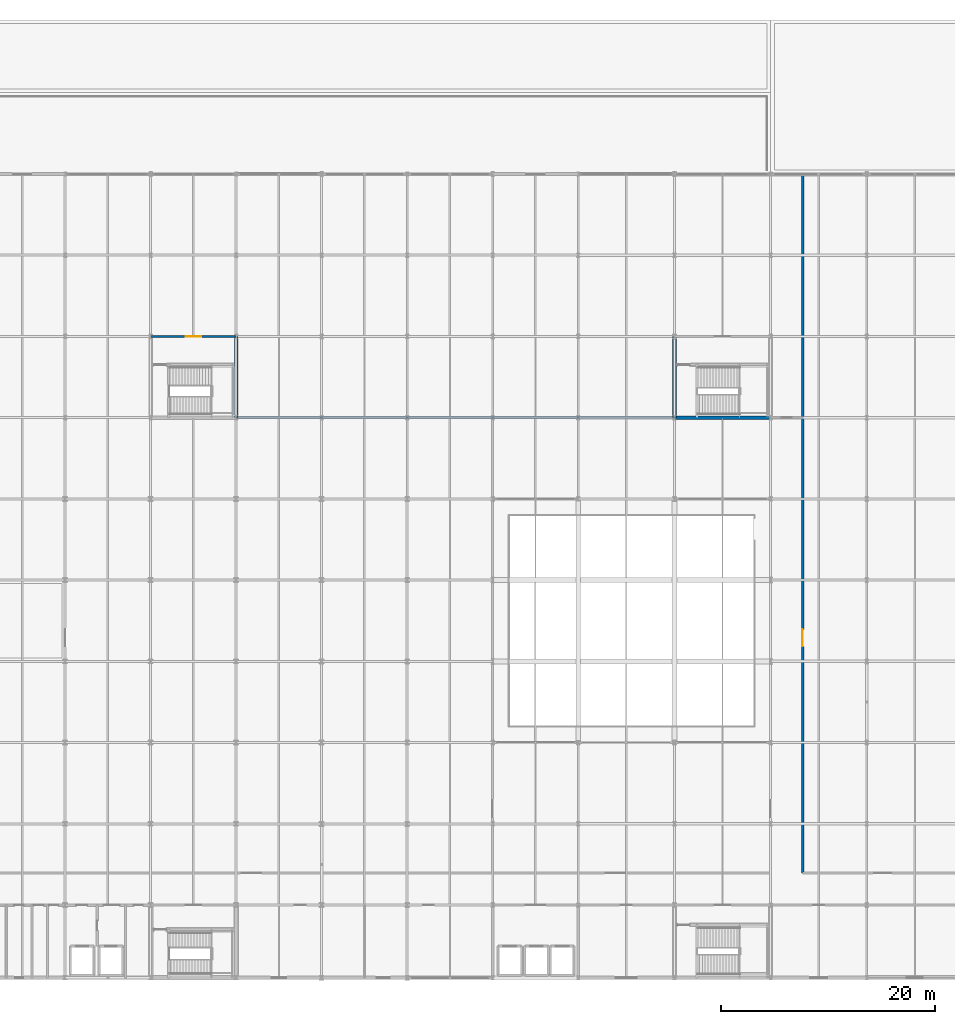
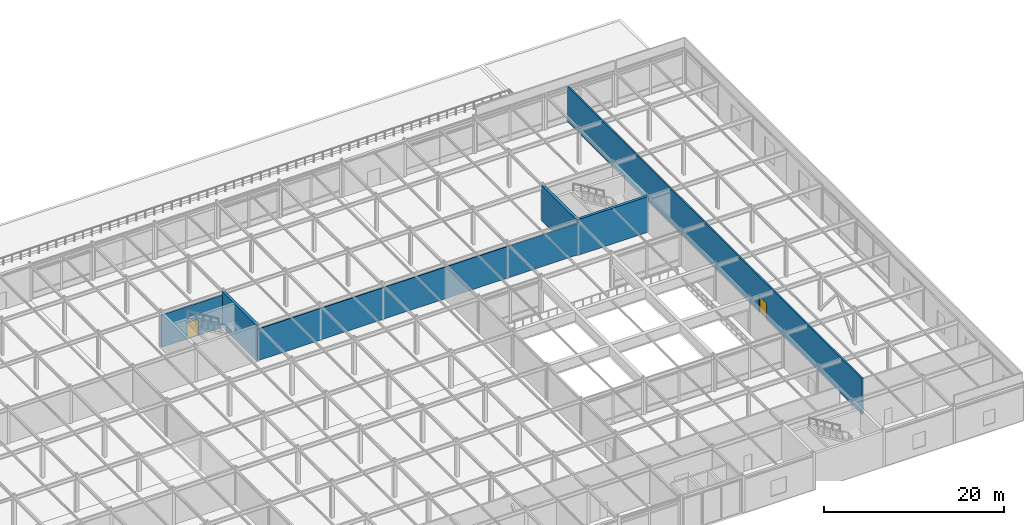
# One storey, part 62 of 79: 6 walls, 2 doors, 2 openings.
"""IFC4 building model written with IfcOpenShell, lengths in metres."""

from ifc_helpers import new_model, si_unit, direction, frame, frame_2d, origin, place, context, subcontext, project, spatial, rectangle, extrude, material, layer, layer_set, type_object, element, fill, save


model = new_model("IFC4")

# Units and contexts
model_context = context("Model", 3, precision=1e-05, world=origin(), true_north=direction((0.0, 1.0)))
body_context = subcontext(model_context, "Body", "Model", "MODEL_VIEW")
ifc_project = project(units=[si_unit("LENGTHUNIT", "METRE"), si_unit("AREAUNIT", "SQUARE_METRE"), si_unit("VOLUMEUNIT", "CUBIC_METRE"), si_unit("PLANEANGLEUNIT", "RADIAN"), si_unit("MASSUNIT", "GRAM", prefix="KILO")], contexts=[model_context])

# Site, building, storey
site_placement = place(None, origin())
site = spatial("IfcSite", under=ifc_project, at=site_placement, CompositionType="ELEMENT")
building_placement = place(site_placement, origin())
building = spatial("IfcBuilding", under=site, at=building_placement, Name="Shalkamar Park Central Library", CompositionType="ELEMENT")
storey_placement = place(building_placement, frame((0.0, 0.0, 10.5)))
storey = spatial("IfcBuildingStorey", under=building, at=storey_placement, Name="L03", CompositionType="ELEMENT", Elevation=10.5)

# Wall
ifc_material_1 = material(Name="Acoustic insulated reading partition", Category="masonry")
ifc_layer_1 = layer(ifc_material_1, 0.139892578125)
ifc_layer_set_1 = layer_set([ifc_layer_1], Name="AcousticPartition_140")
wall_type_1 = type_object("IfcWallType", Name="Acoustic Partition 140", PredefinedType="PARTITIONING", material=ifc_layer_set_1)
wall_1_placement = place(storey_placement, frame((205.0, 300.800048828125, 0.0), z_axis=(0.0, 0.0, 1.0), x_axis=(1.0, 0.0, 0.0)))
element("IfcWall", 1, at=wall_1_placement, inside=storey, type_object=wall_type_1, Name="Interior Partition WL-INT-L03-027-S3", PredefinedType="PARTITIONING", context=body_context, shape_type="SweptSolid", body=[
    extrude(rectangle(XDim=41.0, YDim=0.139892578125, at=frame_2d((20.5, 0.0))), origin(), (0.0, 0.0, 1.0), 4.2880859375),
])

# Wall, opening, door
ifc_material_2 = material(Name="Fire-rated corridor partition wall", Category="masonry")
ifc_layer_2 = layer(ifc_material_2, 0.199951171875)
ifc_layer_set_2 = layer_set([ifc_layer_2], Name="CorridorFireWall_200")
wall_type_2 = type_object("IfcWallType", Name="Corridor Fire Wall 200", PredefinedType="PARTITIONING", material=ifc_layer_set_2)
wall_2_placement = place(storey_placement, frame((197.0, 308.39990234375, 0.0), z_axis=(0.0, 0.0, 1.0), x_axis=(1.0, 0.0, 0.0)))
wall_2 = element("IfcWall", 2, at=wall_2_placement, inside=storey, type_object=wall_type_2, Name="CORE-P7 Vestibule North Wall (L03)", PredefinedType="PARTITIONING", context=body_context, shape_type="SweptSolid", body=[
    extrude(rectangle(XDim=8.0, YDim=0.199951171875, at=frame_2d((4.0, 0.0))), origin(), (0.0, 0.0, 1.0), 4.387939453125),
])
opening_1_placement = place(wall_2_placement, frame((3.27490234375, 0.0, 0.0)))
opening_1 = element("IfcOpeningElement", 3, at=opening_1_placement, cuts=wall_2, Name="Opening DR-ST-P7-L03-VEST", PredefinedType="OPENING", context=body_context, shape_type="SweptSolid", body=[
    extrude(rectangle(XDim=1.449951171875, YDim=2.199951171875, at=frame_2d((0.72509765625, 1.10009765625))), frame((0.0, 0.11474609375, 0.0), z_axis=(0.0, -1.0, 0.0), x_axis=(1.0, 0.0, 0.0)), (0.0, 0.0, 1.0), 0.229736328125),
])
ifc_material_3 = material(Name="Steel S355", Category="steel")
door_type_1 = type_object("IfcDoorType", Name="Stair Vestibule Door 1450x2200", OperationType="DOUBLE_DOOR_SINGLE_SWING", PredefinedType="DOOR", material=ifc_material_3)
door_1_placement = place(opening_1_placement, frame((1.449951171875, 0.0, 0.0), z_axis=(0.0, 0.0, 1.0), x_axis=(-1.0, 0.0, 0.0)))
door_1 = element("IfcDoor", 4, at=door_1_placement, inside=storey, type_object=door_type_1, Name="Protected Stair ST-P7 Vestibule Door (L03)", OperationType="DOUBLE_DOOR_SINGLE_SWING", OverallHeight=2.199951171875, OverallWidth=1.449951171875, PredefinedType="DOOR", context=body_context, shape_type="SweptSolid", body=[
    extrude(rectangle(XDim=1.449951171875, YDim=2.199951171875, at=frame_2d((0.72509765625, 1.10009765625))), frame((0.0, 0.02490234375, 0.0), z_axis=(0.0, -1.0, 0.0), x_axis=(1.0, 0.0, 0.0)), (0.0, 0.0, 1.0), 0.050048828125),
])
fill(opening_1, door_1)

wall_3_placement = place(storey_placement, frame((258.0, 258.199951171875, 0.0), z_axis=(0.0, 0.0, 1.0), x_axis=(0.0, 1.0, 0.0)))
wall_3 = element("IfcWall", 5, at=wall_3_placement, inside=storey, type_object=wall_type_2, Name="Interior Partition WL-INT-L03-029", PredefinedType="PARTITIONING", context=body_context, shape_type="SweptSolid", body=[
    extrude(rectangle(XDim=65.400146484375, YDim=0.199951171875, at=frame_2d((32.7001953125, 0.0))), origin(), (0.0, 0.0, 1.0), 4.840087890625),
])
opening_2_placement = place(wall_3_placement, frame((21.199951171875, 0.0, 0.0)))
opening_2 = element("IfcOpeningElement", 6, at=opening_2_placement, cuts=wall_3, Name="Opening DR-L03-031", PredefinedType="OPENING", context=body_context, shape_type="SweptSolid", body=[
    extrude(rectangle(XDim=1.60009765625, YDim=2.25, at=frame_2d((0.800048828125, 1.125))), frame((0.0, 0.11474609375, 0.0), z_axis=(0.0, -1.0, 0.0), x_axis=(1.0, 0.0, 0.0)), (0.0, 0.0, 1.0), 0.229736328125),
])
door_type_2 = type_object("IfcDoorType", Name="Interior Door Double 1600x2250", OperationType="DOUBLE_DOOR_SINGLE_SWING", PredefinedType="DOOR", material=ifc_material_3)
door_2_placement = place(opening_2_placement, frame((1.60009765625, 0.0, 0.0), z_axis=(0.0, 0.0, 1.0), x_axis=(-1.0, 0.0, 0.0)))
door_2 = element("IfcDoor", 7, at=door_2_placement, inside=storey, type_object=door_type_2, Name="Cartography Reading Room West Door", OperationType="DOUBLE_DOOR_SINGLE_SWING", OverallHeight=2.25, OverallWidth=1.60009765625, PredefinedType="DOOR", context=body_context, shape_type="SweptSolid", body=[
    extrude(rectangle(XDim=1.60009765625, YDim=2.25, at=frame_2d((0.800048828125, 1.125))), frame((0.0, 0.02490234375, 0.0), z_axis=(0.0, -1.0, 0.0), x_axis=(1.0, 0.0, 0.0)), (0.0, 0.0, 1.0), 0.050048828125),
])
fill(opening_2, door_2)

# Walls
ifc_material_4 = material(Name="Concrete C40/50", Category="concrete")
ifc_layer_3 = layer(ifc_material_4, 0.35009765625)
ifc_layer_set_3 = layer_set([ifc_layer_3], Name="Concrete C40/50")
wall_type_3 = type_object("IfcWallType", Name="Podium Core Shear Wall 350", PredefinedType="SHEAR", material=ifc_layer_set_3)
wall_4_placement = place(storey_placement, frame((246.0, 300.800048828125, 0.0), z_axis=(0.0, 0.0, 1.0), x_axis=(1.0, 0.0, 0.0)))
element("IfcWall", 8, at=wall_4_placement, inside=storey, type_object=wall_type_3, Name="CORE-P4 South Shear Wall (L03)", PredefinedType="SHEAR", context=body_context, shape_type="SweptSolid", body=[
    extrude(rectangle(XDim=9.0, YDim=0.35009765625, at=frame_2d((4.5, 0.0))), origin(), (0.0, 0.0, 1.0), 4.840087890625),
])
for number, where, z_axis, x_axis, name in (
    (9, (246.0, 300.800048828125, 0.0), (0.0, 0.0, 1.0), (0.0, 1.0, 0.0), "CORE-P4 West Shear Wall (L03)"),
    (10, (205.0, 300.800048828125, 0.0), (0.0, 0.0, 1.0), (0.0, 1.0, 0.0), "CORE-P7 East Shear Wall (L03)"),
):
    element("IfcWall", number, at=place(storey_placement, frame(where, z_axis=z_axis, x_axis=x_axis)), inside=storey, type_object=wall_type_3, Name=name, PredefinedType="SHEAR", context=body_context, shape_type="SweptSolid", body=[
        extrude(rectangle(XDim=7.599853515625, YDim=0.35009765625, at=frame_2d((3.7998046875, 0.0))), origin(), (0.0, 0.0, 1.0), 4.840087890625),
    ])

save(model, "model.ifc")
